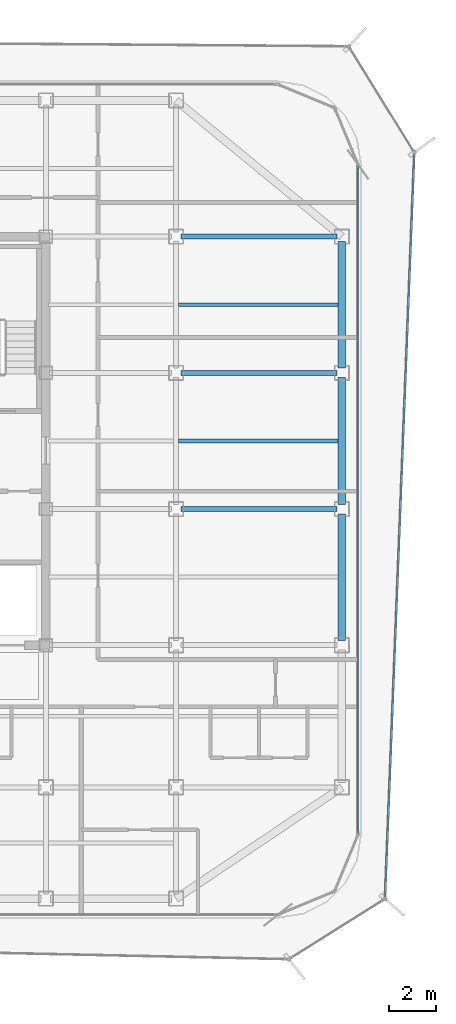
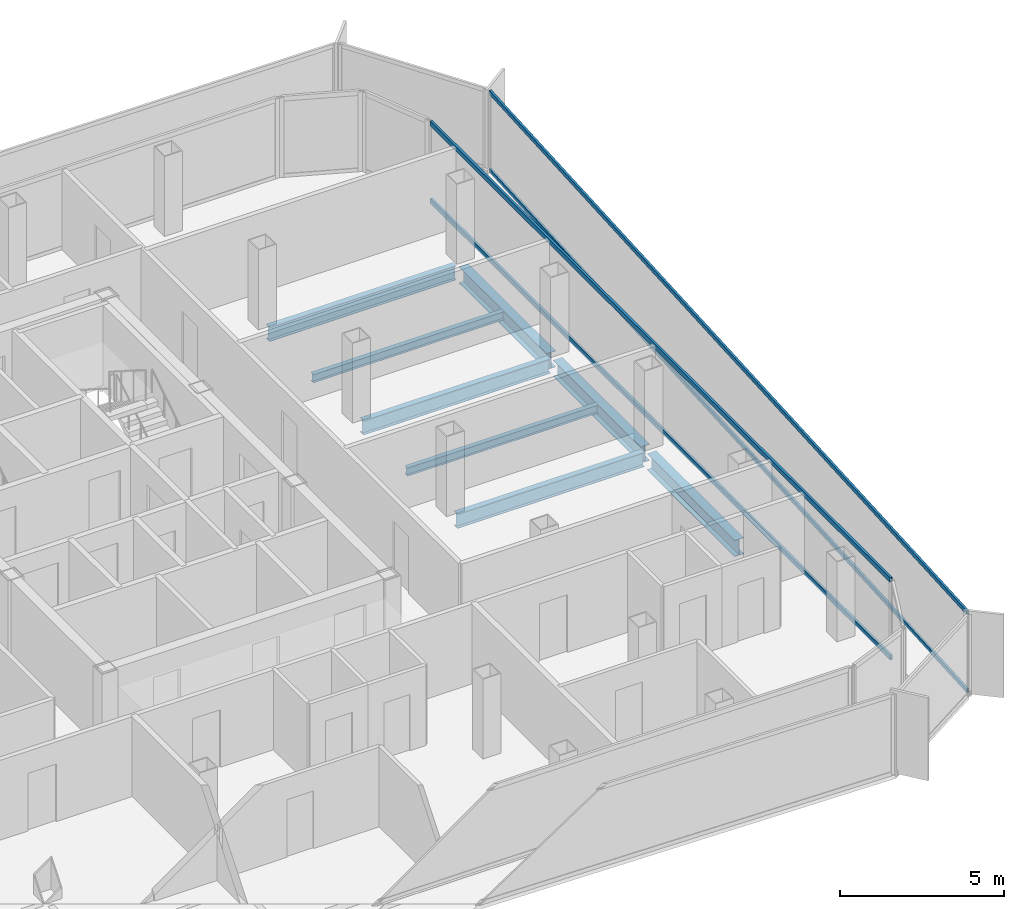
# One storey, part 5 of 15: 8 beams, 4 members, 2 elements without a shape of their own.
"""IFC4 building model written with IfcOpenShell, lengths in metres."""

from ifc_helpers import new_model, si_unit, direction, frame, origin, origin_2d, place, context, subcontext, project, spatial, hollow_rectangle, i_section, extrude, source, transform, mapped, material, layer, layer_set, material_profile, profile_set, type_object, element, aggregate, save


model = new_model("IFC4")

# Units and contexts
model_context = context("Model", 3, precision=1e-05, world=origin(), true_north=direction((0.0, 1.0)))
body_context = subcontext(model_context, "Body", "Model", "MODEL_VIEW")
ifc_project = project(units=[si_unit("LENGTHUNIT", "METRE"), si_unit("AREAUNIT", "SQUARE_METRE"), si_unit("VOLUMEUNIT", "CUBIC_METRE"), si_unit("PLANEANGLEUNIT", "RADIAN"), si_unit("MASSUNIT", "GRAM", prefix="KILO")], contexts=[model_context])

# Site, building, storey
site_placement = place(None, origin())
site = spatial("IfcSite", under=ifc_project, at=site_placement, CompositionType="ELEMENT")
building_placement = place(site_placement, origin())
building = spatial("IfcBuilding", under=site, at=building_placement, Name="Kolveth Station Tower", CompositionType="ELEMENT")
storey_placement = place(building_placement, frame((0.0, 0.0, 223.300048828125)))
storey = spatial("IfcBuildingStorey", under=building, at=storey_placement, Name="L63", CompositionType="ELEMENT", Elevation=223.300048828125)

# Beams
ifc_material_1 = material(Name="Steel S355", Category="steel")
ifc_material_profile_1 = material_profile(ifc_material_1, i_section(OverallWidth=0.323974609375, OverallDepth=0.611083984375, WebThickness=0.0126953125, FlangeThickness=0.01904296875, at=origin_2d()), Name="W610x155")
ifc_profile_set_1 = profile_set([ifc_material_profile_1], Name="Steel S355")
beam_type_1 = type_object("IfcBeamType", Name="Beam_SP2", PredefinedType="SPANDREL", material=ifc_profile_set_1)
shared_shape_1 = source(origin(), body_context, "Body", "SweptSolid", [
    extrude(i_section(OverallWidth=0.323974609375, OverallDepth=0.611083984375, WebThickness=0.0126953125, FlangeThickness=0.01904296875, at=origin_2d()), origin(), (0.0, 0.0, 1.0), 5.35009765625),
])
for number, where, z_axis, x_axis, name in (
    (1, (41.0, 11.699951171875, -0.525634765625), (0.0, 1.0, 0.0), (-1.0, 0.0, 0.0), "L63 Perimeter Spandrel BM-L63-PE-2"),
    (2, (41.0, 17.449951171875, -0.525634765625), (0.0, 1.0, 0.0), (-1.0, 0.0, 0.0), "L63 Perimeter Spandrel BM-L63-PE-3"),
    (3, (41.0, 23.199951171875, -0.525634765625), (0.0, 1.0, 0.0), (-1.0, 0.0, 0.0), "L63 Perimeter Spandrel BM-L63-PE-4"),
):
    element("IfcBeam", number, at=place(storey_placement, frame(where, z_axis=z_axis, x_axis=x_axis)), inside=storey, type_object=beam_type_1, Name=name, PredefinedType="SPANDREL", context=body_context, shape_type="MappedRepresentation", body=[
        mapped(shared_shape_1, transform((0.0, 0.0, 0.0), x_axis=(1.0, 0.0, 0.0), y_axis=(0.0, 1.0, 0.0), z_axis=(0.0, 0.0, 1.0), scale=1.0)),
    ])
ifc_material_profile_2 = material_profile(ifc_material_1, i_section(OverallWidth=0.2099609375, OverallDepth=0.537109375, WebThickness=0.010986328125, FlangeThickness=0.017333984375, at=origin_2d()), Name="W530x101")
ifc_profile_set_2 = profile_set([ifc_material_profile_2], Name="Steel S355")
beam_type_2 = type_object("IfcBeamType", Name="Beam_B6", PredefinedType="BEAM", material=ifc_profile_set_2)
shared_shape_2 = source(origin(), body_context, "Body", "SweptSolid", [
    extrude(i_section(OverallWidth=0.2099609375, OverallDepth=0.537109375, WebThickness=0.010986328125, FlangeThickness=0.017333984375, at=origin_2d()), origin(), (0.0, 0.0, 1.0), 6.60009765625),
])
for number, where, z_axis, x_axis, name in (
    (4, (34.199951171875, 17.25, -0.488525390625), (1.0, 0.0, 0.0), (0.0, 1.0, 0.0), "L63 Primary Girder BM-L63-GY172-5"),
    (5, (34.199951171875, 23.0, -0.488525390625), (1.0, 0.0, 0.0), (0.0, 1.0, 0.0), "L63 Primary Girder BM-L63-GY230-5"),
    (6, (34.199951171875, 28.75, -0.488525390625), (1.0, 0.0, 0.0), (0.0, 1.0, 0.0), "L63 Primary Girder BM-L63-GY287-5"),
):
    element("IfcBeam", number, at=place(storey_placement, frame(where, z_axis=z_axis, x_axis=x_axis)), inside=storey, type_object=beam_type_2, Name=name, PredefinedType="BEAM", context=body_context, shape_type="MappedRepresentation", body=[
        mapped(shared_shape_2, transform((0.0, 0.0, 0.0), x_axis=(1.0, 0.0, 0.0), y_axis=(0.0, 1.0, 0.0), z_axis=(0.0, 0.0, 1.0), scale=1.0)),
    ])
ifc_material_profile_3 = material_profile(ifc_material_1, i_section(OverallWidth=0.1650390625, OverallDepth=0.31005859375, WebThickness=0.005859375, FlangeThickness=0.009765625, at=origin_2d()), Name="W310x39")
ifc_profile_set_3 = profile_set([ifc_material_profile_3], Name="Steel S355")
beam_type_3 = type_object("IfcBeamType", Name="Beam_J3", PredefinedType="JOIST", material=ifc_profile_set_3)
shared_shape_3 = source(origin(), body_context, "Body", "SweptSolid", [
    extrude(i_section(OverallWidth=0.1650390625, OverallDepth=0.31005859375, WebThickness=0.005859375, FlangeThickness=0.009765625, at=origin_2d()), origin(), (0.0, 0.0, 1.0), 6.737060546875),
])
for number, where, z_axis, x_axis, name in (
    (7, (34.10302734375, 20.125, -0.375), (1.0, 0.0, 0.0), (0.0, 1.0, 0.0), "L63 Secondary Joist JST-L63-5-4"),
    (8, (34.10302734375, 25.875, -0.375), (1.0, 0.0, 0.0), (0.0, 1.0, 0.0), "L63 Secondary Joist JST-L63-5-5"),
):
    element("IfcBeam", number, at=place(storey_placement, frame(where, z_axis=z_axis, x_axis=x_axis)), inside=storey, type_object=beam_type_3, Name=name, PredefinedType="JOIST", context=body_context, shape_type="MappedRepresentation", body=[
        mapped(shared_shape_3, transform((0.0, 0.0, 0.0), x_axis=(1.0, 0.0, 0.0), y_axis=(0.0, 1.0, 0.0), z_axis=(0.0, 0.0, 1.0), scale=1.0)),
    ])

# Curtain wall, members
ifc_material_2 = material(Name="Aluminium 6063-T6 and triple low-E dark glass", Category="aluminium")
ifc_layer_1 = layer(ifc_material_2, 0.199951171875)
ifc_layer_set_1 = layer_set([ifc_layer_1], Name="Aluminium 6063-T6 and triple low-E dark glass")
curtain_wall_type_1 = type_object("IfcCurtainWallType", Name="CurtainWall_CW-Z3", PredefinedType="NOTDEFINED", material=ifc_layer_set_1)
curtain_wall_1_placement = place(storey_placement, origin())
curtain_wall_1 = element("IfcCurtainWall", 9, at=curtain_wall_1_placement, inside=storey, type_object=curtain_wall_type_1, Name="L63 Inner Thermal Curtain Wall 3", PredefinedType="NOTDEFINED")
ifc_material_3 = material(Name="Black anodized aluminium 6063-T6", Category="aluminium")
ifc_material_profile_4 = material_profile(ifc_material_3, hollow_rectangle(XDim=0.0849609375, YDim=0.179931640625, WallThickness=0.0048828125, at=origin_2d()), Name="ALU-85x180x5")
ifc_profile_set_4 = profile_set([ifc_material_profile_4], Name="Black anodized aluminium 6063-T6")
member_type_1 = type_object("IfcMemberType", Name="Transom_TR3", PredefinedType="USERDEFINED", material=ifc_profile_set_4)
shared_shape_4 = source(origin(), body_context, "Body", "SweptSolid", [
    extrude(hollow_rectangle(XDim=0.0849609375, YDim=0.179931640625, WallThickness=0.0048828125, at=origin_2d()), origin(), (0.0, 0.0, 1.0), 28.130126953125),
])
member_1_placement = place(storey_placement, frame((41.679931640625, 3.5849609375, 0.04248046875), z_axis=(0.0, 1.0, 0.0), x_axis=(-1.0, 0.0, 0.0)))
member_1 = element("IfcMember", 10, at=member_1_placement, type_object=member_type_1, Name="CW-Z3 transom 1.1", ObjectType="TRANSOM", PredefinedType="USERDEFINED", context=body_context, shape_type="MappedRepresentation", body=[
    mapped(shared_shape_4, transform((0.0, 0.0, 0.0), x_axis=(1.0, 0.0, 0.0), y_axis=(0.0, 1.0, 0.0), z_axis=(0.0, 0.0, 1.0), scale=1.0)),
])
member_2_placement = place(storey_placement, frame((41.679931640625, 3.5849609375, 2.9375), z_axis=(0.0, 1.0, 0.0), x_axis=(-1.0, 0.0, 0.0)))
member_2 = element("IfcMember", 11, at=member_2_placement, type_object=member_type_1, Name="CW-Z3 transom 1.2", ObjectType="TRANSOM", PredefinedType="USERDEFINED", context=body_context, shape_type="MappedRepresentation", body=[
    mapped(shared_shape_4, transform((0.0, 0.0, 0.0), x_axis=(1.0, 0.0, 0.0), y_axis=(0.0, 1.0, 0.0), z_axis=(0.0, 0.0, 1.0), scale=1.0)),
])
aggregate(curtain_wall_1, [member_1, member_2])

ifc_material_4 = material(Name="Black anodized aluminium 6063-T6 and dark solar glass", Category="aluminium")
ifc_layer_2 = layer(ifc_material_4, 0.159912109375)
ifc_layer_set_2 = layer_set([ifc_layer_2], Name="Black anodized aluminium 6063-T6 and dark solar glass")
curtain_wall_type_2 = type_object("IfcCurtainWallType", Name="OUTER SKIN CW-OS", PredefinedType="NOTDEFINED", material=ifc_layer_set_2)
curtain_wall_2_placement = place(storey_placement, origin())
curtain_wall_2 = element("IfcCurtainWall", 12, at=curtain_wall_2_placement, inside=storey, type_object=curtain_wall_type_2, Name="L63 Outer Ventilated Skin Curtain Wall 2", PredefinedType="NOTDEFINED")
ifc_material_profile_5 = material_profile(ifc_material_3, hollow_rectangle(XDim=0.080078125, YDim=0.14990234375, WallThickness=0.0048828125, at=origin_2d()), Name="ALU-80x150x5")
ifc_profile_set_5 = profile_set([ifc_material_profile_5], Name="Black anodized aluminium 6063-T6")
member_type_2 = type_object("IfcMemberType", Name="Transom_TR-OS", PredefinedType="USERDEFINED", material=ifc_profile_set_5)
shared_shape_5 = source(origin(), body_context, "Body", "SweptSolid", [
    extrude(hollow_rectangle(XDim=0.080078125, YDim=0.14990234375, WallThickness=0.0048828125, at=origin_2d()), origin(), (0.0, 0.0, 1.0), 31.36572265625),
])
member_3_placement = place(storey_placement, frame((42.825439453125, 0.879150390625, 0.0400390625), z_axis=(0.039260845606, 0.999228995777, 0.0), x_axis=(-0.999228995777, 0.039260845606, 0.0)))
member_3 = element("IfcMember", 13, at=member_3_placement, type_object=member_type_2, Name="CW-OS transom 1.1", ObjectType="TRANSOM", PredefinedType="USERDEFINED", context=body_context, shape_type="MappedRepresentation", body=[
    mapped(shared_shape_5, transform((0.0, 0.0, 0.0), x_axis=(1.0, 0.0, 0.0), y_axis=(0.0, 1.0, 0.0), z_axis=(0.0, 0.0, 1.0), scale=1.0)),
])
member_4_placement = place(storey_placement, frame((42.825439453125, 0.879150390625, 2.949951171875), z_axis=(0.039260845606, 0.999228995777, 0.0), x_axis=(-0.999228995777, 0.039260845606, 0.0)))
member_4 = element("IfcMember", 14, at=member_4_placement, type_object=member_type_2, Name="CW-OS transom 1.2", ObjectType="TRANSOM", PredefinedType="USERDEFINED", context=body_context, shape_type="MappedRepresentation", body=[
    mapped(shared_shape_5, transform((0.0, 0.0, 0.0), x_axis=(1.0, 0.0, 0.0), y_axis=(0.0, 1.0, 0.0), z_axis=(0.0, 0.0, 1.0), scale=1.0)),
])
aggregate(curtain_wall_2, [member_3, member_4])

save(model, "model.ifc")
